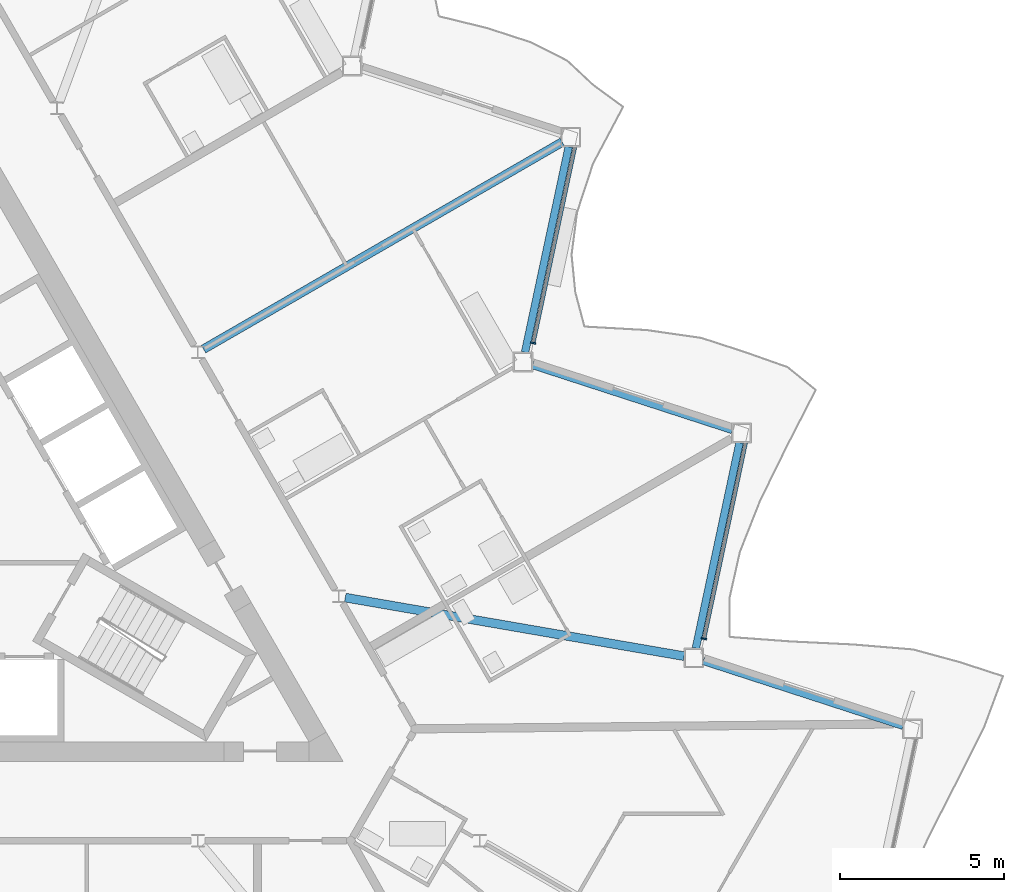
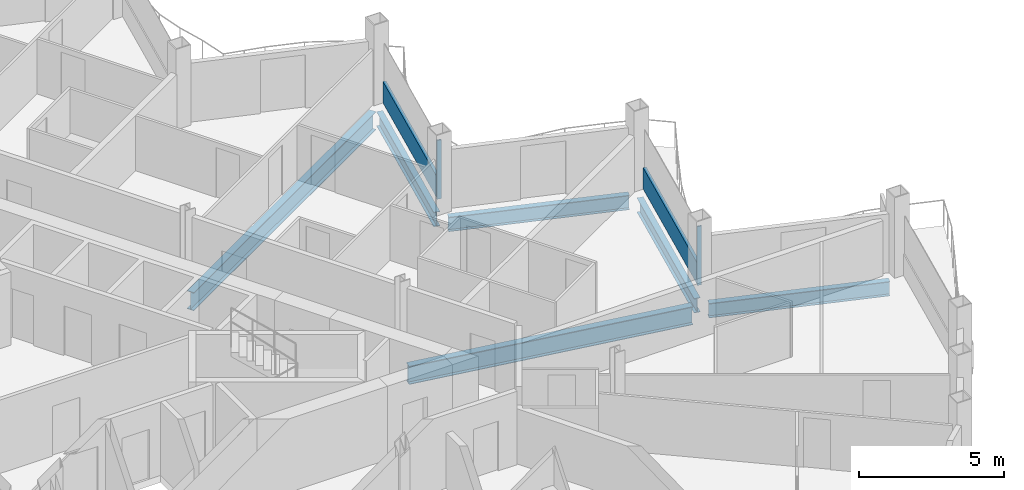
# One storey, part 9 of 27: 6 beams, 4 members, 2 elements without a shape of their own.
"""IFC4 building model written with IfcOpenShell, lengths in metres."""

import ifcopenshell
import ifcopenshell.guid

model = None  # the IFC model being written
_history = None  # IfcOwnerHistory: only IFC2X3 demands one
_inside = {}  # id of a spatial element -> (the spatial element, [elements in it])
_under = {}  # id of a project, library or spatial element -> (it, [spatial elements below it])
_declared = {}  # id of a project -> (the project, [libraries it declares])
_typed = {}  # id of a type object -> (the type object, [elements of that type])
_made_of = {}  # id of a material, layer set ... -> (it, [elements and type objects made of it])


def new_model(schema):
    """Start an empty IFC model of exactly this schema.

    Asked for "IFC4X3", IfcOpenShell would pick the latest addendum, in which some entities
    have other attributes; the version numbers below select the first issue.
    IFC2X3 requires an IfcOwnerHistory on every rooted entity: one is made here for all.
    """
    global model, _history
    if schema == "IFC4X3":
        model = ifcopenshell.file(schema_version=(4, 3, 0, 0))
    else:
        model = ifcopenshell.file(schema=schema)
    _inside.clear()
    _under.clear()
    _declared.clear()
    _typed.clear()
    _made_of.clear()
    _history = None
    if model.schema == "IFC2X3":
        org = make("IfcOrganization", Name="unknown")
        user = make(
            "IfcPersonAndOrganization",
            ThePerson=make("IfcPerson", FamilyName="unknown"),
            TheOrganization=org,
        )
        app = make(
            "IfcApplication",
            ApplicationDeveloper=org,
            Version="unknown",
            ApplicationFullName="unknown",
            ApplicationIdentifier="unknown",
        )
        _history = make(
            "IfcOwnerHistory",
            OwningUser=user,
            OwningApplication=app,
            ChangeAction="ADDED",
            CreationDate=0,
        )
    return model


def make(cls, **values):
    """One entity of the class cls with the attributes given. An attribute that is None is left unset."""
    return model.create_entity(
        cls, **{name: value for name, value in values.items() if value is not None}
    )


def rooted(cls, **values):
    """An entity with a GlobalId (a new one), such as an element, a storey or a relation."""
    return make(cls, GlobalId=ifcopenshell.guid.new(), OwnerHistory=_history, **values)


def si_unit(unit_type, name, prefix=None):
    """IfcSIUnit, for example si_unit("LENGTHUNIT", "METRE", prefix="MILLI")."""
    return make("IfcSIUnit", UnitType=unit_type, Prefix=prefix, Name=name)


def assignment(units):
    """IfcUnitAssignment: the units of a project."""
    return None if units is None else make("IfcUnitAssignment", Units=units)


def point(xyz):
    """IfcCartesianPoint."""
    return None if xyz is None else make("IfcCartesianPoint", Coordinates=xyz)


def direction(xyz):
    """IfcDirection."""
    return None if xyz is None else make("IfcDirection", DirectionRatios=xyz)


def frame(location, z_axis=None, x_axis=None):
    """IfcAxis2Placement3D, a coordinate frame: its origin and axes. An axis left out is left unset."""
    return make(
        "IfcAxis2Placement3D",
        Location=point(location),
        Axis=direction(z_axis),
        RefDirection=direction(x_axis),
    )


def frame_2d(location, x_axis=None):
    """IfcAxis2Placement2D, a coordinate frame in the plane: its origin and x axis."""
    return make(
        "IfcAxis2Placement2D", Location=point(location), RefDirection=direction(x_axis)
    )


def origin():
    """The frame at (0, 0, 0) with its axes left unset."""
    return frame((0.0, 0.0, 0.0))


def origin_2d():
    """The frame at (0, 0) in the plane with its x axis left unset."""
    return frame_2d((0.0, 0.0))


def place(relative_to, where):
    """IfcLocalPlacement: puts the frame where relative to a parent placement (None: the world)."""
    return make(
        "IfcLocalPlacement", PlacementRelTo=relative_to, RelativePlacement=where
    )


def context(
    kind, dimensions, precision=None, world=None, true_north=None, identifier=None
):
    """IfcGeometricRepresentationContext, for example the 3D "Model" context."""
    return make(
        "IfcGeometricRepresentationContext",
        ContextIdentifier=identifier,
        ContextType=kind,
        CoordinateSpaceDimension=dimensions,
        Precision=precision,
        WorldCoordinateSystem=world,
        TrueNorth=true_north,
    )


def subcontext(parent, identifier, kind, view, scale=None):
    """IfcGeometricRepresentationSubContext, for example "Body" below "Model"."""
    return make(
        "IfcGeometricRepresentationSubContext",
        ContextIdentifier=identifier,
        ContextType=kind,
        ParentContext=parent,
        TargetScale=scale,
        TargetView=view,
    )


def project(units=None, contexts=None):
    """IfcProject with its units and contexts."""
    return rooted(
        "IfcProject",
        Name="project",
        RepresentationContexts=contexts,
        UnitsInContext=assignment(units),
    )


def spatial(cls, under=None, at=None, **own):
    """A site, building, storey or space (cls), placed at a placement, below another one or the project."""
    s = rooted(cls, ObjectPlacement=at, **own)
    if under is not None:
        _under.setdefault(under.id(), (under, []))[1].append(s)
    return s


def profile(cls, at=None, kind="AREA", **sizes):
    """A parametric profile (cls). Its sizes go by their IFC names, for example OverallWidth=200.0."""
    return make(cls, ProfileType=kind, Position=at, **sizes)


def rectangle(**sizes):
    """IfcRectangleProfileDef."""
    return profile("IfcRectangleProfileDef", **sizes)


def i_section(**sizes):
    """IfcIShapeProfileDef."""
    return profile("IfcIShapeProfileDef", **sizes)


def extrude(swept, where, along, depth):
    """IfcExtrudedAreaSolid: the profile swept, set in the frame where, extruded along a direction by depth."""
    return make(
        "IfcExtrudedAreaSolid",
        SweptArea=swept,
        Position=where,
        ExtrudedDirection=direction(along),
        Depth=depth,
    )


def shape(context_of_items, identifier, shape_type, items):
    """IfcShapeRepresentation: the items that make up one representation, for example the "Body"."""
    return make(
        "IfcShapeRepresentation",
        ContextOfItems=context_of_items,
        RepresentationIdentifier=identifier,
        RepresentationType=shape_type,
        Items=items,
    )


def material(Name=None, Category=None):
    """IfcMaterial."""
    return make("IfcMaterial", Name=Name, Category=Category)


def layer(
    of_material, thickness, ventilated=None, Name=None, Category=None, Priority=None
):
    """IfcMaterialLayer: one layer of a wall or slab, of a material (None: an air gap)."""
    return make(
        "IfcMaterialLayer",
        Material=of_material,
        LayerThickness=thickness,
        IsVentilated=ventilated,
        Name=Name,
        Category=Category,
        Priority=Priority,
    )


def layer_set(layers, Name=None):
    """IfcMaterialLayerSet."""
    return make("IfcMaterialLayerSet", MaterialLayers=layers, LayerSetName=Name)


def material_profile(
    of_material, cross_section, Name=None, Category=None, Priority=None
):
    """IfcMaterialProfile: a cross section and its material."""
    return make(
        "IfcMaterialProfile",
        Name=Name,
        Material=of_material,
        Profile=cross_section,
        Priority=Priority,
        Category=Category,
    )


def profile_set(profiles, Name=None, composite=None):
    """IfcMaterialProfileSet."""
    return make(
        "IfcMaterialProfileSet",
        Name=Name,
        MaterialProfiles=profiles,
        CompositeProfile=composite,
    )


def made_of(thing, what):
    """Note that an element or type object is made of a material, layer set ...; save() writes the relation."""
    if what is not None:
        _made_of.setdefault(what.id(), (what, []))[1].append(thing)
    return thing


def type_object(cls, material=None, **own):
    """A type object (cls), such as IfcWallType, which elements share."""
    return made_of(rooted(cls, **own), material)


def element(
    cls,
    number,
    at=None,
    inside=None,
    cuts=None,
    type_object=None,
    material=None,
    context=None,
    identifier="Body",
    shape_type=None,
    held_by="IfcProductDefinitionShape",
    body=None,
    shapes=None,
    **own,
):
    """One element of the class cls, such as IfcWall. Its Tag is "e" and its number.

    at: its placement. inside: the storey or other place that contains it. cuts: it is an
    opening in that element (IfcRelVoidsElement). A single representation is given by context,
    identifier, shape_type and body (its items); several are given by shapes. held_by: the class
    of the entity that holds the representations. save() writes the other relations.
    """
    e = rooted(cls, Tag="e%d" % number, ObjectPlacement=at, **own)
    if body is not None:
        shapes = [shape(context, identifier, shape_type, body)]
    if shapes is not None:
        e.Representation = make(held_by, Representations=shapes)
    if inside is not None:
        _inside.setdefault(inside.id(), (inside, []))[1].append(e)
    if cuts is not None:
        rooted(
            "IfcRelVoidsElement", RelatingBuildingElement=cuts, RelatedOpeningElement=e
        )
    if type_object is not None:
        _typed.setdefault(type_object.id(), (type_object, []))[1].append(e)
    return made_of(e, material)


def aggregate(whole, parts):
    """IfcRelAggregates: a whole, such as a stair, and the parts it consists of."""
    return rooted("IfcRelAggregates", RelatingObject=whole, RelatedObjects=parts)


def save(model, path):
    """Write the relations noted so far, then the file.

    IfcRelAggregates (storeys below a building ...), IfcRelContainedInSpatialStructure (elements
    in a storey), IfcRelDefinesByType, IfcRelAssociatesMaterial and IfcRelDeclares: one each for
    every whole, place, type object, material and project.
    """
    for whole, parts in _under.values():
        aggregate(whole, parts)
    for where, things in _inside.values():
        rooted(
            "IfcRelContainedInSpatialStructure",
            RelatedElements=things,
            RelatingStructure=where,
        )
    for kind, things in _typed.values():
        rooted("IfcRelDefinesByType", RelatedObjects=things, RelatingType=kind)
    for what, things in _made_of.values():
        rooted("IfcRelAssociatesMaterial", RelatedObjects=things, RelatingMaterial=what)
    for by, libraries in _declared.values():
        rooted("IfcRelDeclares", RelatingContext=by, RelatedDefinitions=libraries)
    model.write(path)


model = new_model("IFC4")

# Units and contexts
model_context = context("Model", 3, precision=1e-05, world=origin(), true_north=direction((0.0, 1.0)))
body_context = subcontext(model_context, "Body", "Model", "MODEL_VIEW")
ifc_project = project(units=[si_unit("LENGTHUNIT", "METRE"), si_unit("AREAUNIT", "SQUARE_METRE"), si_unit("VOLUMEUNIT", "CUBIC_METRE"), si_unit("PLANEANGLEUNIT", "RADIAN"), si_unit("MASSUNIT", "GRAM", prefix="KILO")], contexts=[model_context])

# Site, building, storey
site_placement = place(None, origin())
site = spatial("IfcSite", under=ifc_project, at=site_placement, CompositionType="ELEMENT")
building_placement = place(site_placement, origin())
building = spatial("IfcBuilding", under=site, at=building_placement, Name="Cormorant Prow Tower", CompositionType="ELEMENT")
storey_placement = place(building_placement, frame((0.0, 0.0, 335.800048828125)))
storey = spatial("IfcBuildingStorey", under=building, at=storey_placement, Name="L75", CompositionType="ELEMENT", Elevation=335.800048828125)

# Beams
ifc_material_1 = material(Name="Structural steel ASTM A992 Gr 50", Category="steel")
ifc_material_profile_1 = material_profile(ifc_material_1, i_section(OverallWidth=0.267822265625, OverallDepth=0.77001953125, WebThickness=0.015625, FlangeThickness=0.025390625, at=origin_2d()), Name="W30x132")
ifc_profile_set_1 = profile_set([ifc_material_profile_1], Name="Structural steel ASTM A992 Gr 50")
beam_type_1 = type_object("IfcBeamType", Name="Radial floor beam W30x132", PredefinedType="BEAM", material=ifc_profile_set_1)
beam_1_placement = place(storey_placement, frame((13.0625, -2.510009765625, -0.68505859375), z_axis=(0.985379592304, -0.170373293304, 0.0), x_axis=(0.170373293304, 0.985379592304, 0.0)))
element("IfcBeam", 1, at=beam_1_placement, inside=storey, type_object=beam_type_1, Name="Radial floor beam FB3 10 L75", PredefinedType="BEAM", context=body_context, shape_type="SweptSolid", body=[
    extrude(i_section(OverallWidth=0.267822265625, OverallDepth=0.77001953125, WebThickness=0.015625, FlangeThickness=0.025390625, at=origin_2d()), origin(), (0.0, 0.0, 1.0), 10.465087890625),
])
beam_2_placement = place(storey_placement, frame((8.749755859375, 5.051513671875, -0.68505859375), z_axis=(0.866021086443, 0.50000747778, 0.0), x_axis=(-0.50000747778, 0.866021086443, 0.0)))
element("IfcBeam", 2, at=beam_2_placement, inside=storey, type_object=beam_type_1, Name="Radial floor beam FB3 11 L75", PredefinedType="BEAM", context=body_context, shape_type="SweptSolid", body=[
    extrude(i_section(OverallWidth=0.267822265625, OverallDepth=0.77001953125, WebThickness=0.015625, FlangeThickness=0.025390625, at=origin_2d()), origin(), (0.0, 0.0, 1.0), 12.604736328125),
])

# Curtain wall, member
ifc_material_2 = material(Name="Aluminium 6063-T6", Category="aluminium")
ifc_layer = layer(ifc_material_2, 0.159912109375)
ifc_layer_set = layer_set([ifc_layer], Name="Aluminium 6063-T6")
curtain_wall_type = type_object("IfcCurtainWallType", Name="Residential unitised curtain wall 160", PredefinedType="NOTDEFINED", material=ifc_layer_set)
curtain_wall_1_placement = place(storey_placement, origin())
curtain_wall_1 = element("IfcCurtainWall", 3, at=curtain_wall_1_placement, inside=storey, type_object=curtain_wall_type, Name="Residential curtain wall ENE02", PredefinedType="NOTDEFINED")
ifc_material_3 = material(Name="Aluminium 6063-T6", Category="aluminium")
ifc_material_profile_2 = material_profile(ifc_material_3, rectangle(XDim=0.159912109375, YDim=0.050048828125, at=origin_2d()), Name="Residential mullion 50x160")
ifc_profile_set_2 = profile_set([ifc_material_profile_2], Name="Aluminium 6063-T6")
member_type_1 = type_object("IfcMemberType", Name="Residential mullion 50x160", PredefinedType="MULLION", material=ifc_profile_set_2)
member_1_placement = place(storey_placement, frame((23.978759765625, -3.762451171875, 0.0), z_axis=(0.0, 0.0, 1.0), x_axis=(-0.978147592438, 0.207911729844, 0.0)))
member_1 = element("IfcMember", 4, at=member_1_placement, type_object=member_type_1, Name="Residential mullion ENE02", PredefinedType="MULLION", context=body_context, shape_type="SweptSolid", body=[
    extrude(rectangle(XDim=0.159912109375, YDim=0.050048828125, at=origin_2d()), origin(), (0.0, 0.0, 1.0), 2.48779296875),
])

curtain_wall_2_placement = place(storey_placement, origin())
curtain_wall_2 = element("IfcCurtainWall", 5, at=curtain_wall_2_placement, inside=storey, type_object=curtain_wall_type, Name="Residential curtain wall ENE04", PredefinedType="NOTDEFINED")
member_2_placement = place(storey_placement, frame((18.782470703125, 5.23779296875, 0.0), z_axis=(0.0, 0.0, 1.0), x_axis=(-0.978147592438, 0.207911729844, 0.0)))
member_2 = element("IfcMember", 6, at=member_2_placement, type_object=member_type_1, Name="Residential mullion ENE04", PredefinedType="MULLION", context=body_context, shape_type="SweptSolid", body=[
    extrude(rectangle(XDim=0.159912109375, YDim=0.050048828125, at=origin_2d()), origin(), (0.0, 0.0, 1.0), 2.48779296875),
])

# Member
ifc_material_4 = material(Name="Terracotta", Category="masonry")
ifc_material_profile_3 = material_profile(ifc_material_4, rectangle(XDim=0.1201171875, YDim=0.89990234375, at=origin_2d()), Name="Residential terracotta spandrel rail 120x900")
ifc_profile_set_3 = profile_set([ifc_material_profile_3], Name="Terracotta")
member_type_2 = type_object("IfcMemberType", Name="Residential terracotta spandrel rail 120x900", PredefinedType="USERDEFINED", material=ifc_profile_set_3)
member_3_placement = place(storey_placement, frame((23.98388671875, -3.738037109375, 0.449951171875), z_axis=(0.207912112226, 0.978147511161, 0.0), x_axis=(-0.978147511161, 0.207912112226, 0.0)))
member_3 = element("IfcMember", 7, at=member_3_placement, type_object=member_type_2, Name="Residential spandrel rail ENE02", ObjectType="TRANSOM", PredefinedType="USERDEFINED", context=body_context, shape_type="SweptSolid", body=[
    extrude(rectangle(XDim=0.1201171875, YDim=0.89990234375, at=origin_2d()), origin(), (0.0, 0.0, 1.0), 6.074462890625),
])

aggregate(curtain_wall_1, [member_1, member_3])

member_4_placement = place(storey_placement, frame((18.78759765625, 5.26220703125, 0.449951171875), z_axis=(0.207912112226, 0.978147511161, 0.0), x_axis=(-0.978147511161, 0.207912112226, 0.0)))
member_4 = element("IfcMember", 8, at=member_4_placement, type_object=member_type_2, Name="Residential spandrel rail ENE04", ObjectType="TRANSOM", PredefinedType="USERDEFINED", context=body_context, shape_type="SweptSolid", body=[
    extrude(rectangle(XDim=0.1201171875, YDim=0.89990234375, at=origin_2d()), origin(), (0.0, 0.0, 1.0), 6.074462890625),
])

aggregate(curtain_wall_2, [member_2, member_4])

# Beams
ifc_material_5 = material(Name="Structural steel ASTM A992 Gr 50", Category="steel")
ifc_material_profile_4 = material_profile(ifc_material_5, i_section(OverallWidth=0.22900390625, OverallDepth=0.612060546875, WebThickness=0.011962890625, FlangeThickness=0.01953125, at=origin_2d()), Name="W24x84")
ifc_profile_set_4 = profile_set([ifc_material_profile_4], Name="Structural steel ASTM A992 Gr 50")
beam_type_2 = type_object("IfcBeamType", Name="Spandrel beam W24x84", PredefinedType="SPANDREL", material=ifc_profile_set_4)
beam_3_placement = place(storey_placement, frame((30.038330078125, -6.413330078125, -0.606201171875), z_axis=(-0.951064359156, 0.308992855489, 0.0), x_axis=(-0.308992855489, -0.951064359156, 0.0)))
element("IfcBeam", 9, at=beam_3_placement, inside=storey, type_object=beam_type_2, Name="Spandrel beam SB3 ENE01-ENE02 L75", PredefinedType="SPANDREL", context=body_context, shape_type="SweptSolid", body=[
    extrude(i_section(OverallWidth=0.22900390625, OverallDepth=0.612060546875, WebThickness=0.011962890625, FlangeThickness=0.01953125, at=origin_2d()), origin(), (0.0, 0.0, 1.0), 6.39599609375),
])
beam_4_placement = place(storey_placement, frame((23.732421875, -4.05078125, -0.606201171875), z_axis=(0.20791262393, 0.978147402394, 0.0), x_axis=(-0.978147402394, 0.20791262393, 0.0)))
element("IfcBeam", 10, at=beam_4_placement, inside=storey, type_object=beam_type_2, Name="Spandrel beam SB3 ENE02-ENE03 L75", PredefinedType="SPANDREL", context=body_context, shape_type="SweptSolid", body=[
    extrude(i_section(OverallWidth=0.22900390625, OverallDepth=0.612060546875, WebThickness=0.011962890625, FlangeThickness=0.01953125, at=origin_2d()), origin(), (0.0, 0.0, 1.0), 6.396240234375),
])
beam_5_placement = place(storey_placement, frame((24.83935546875, 2.591796875, -0.606201171875), z_axis=(-0.951064359156, 0.308992855489, 0.0), x_axis=(-0.308992855489, -0.951064359156, 0.0)))
element("IfcBeam", 11, at=beam_5_placement, inside=storey, type_object=beam_type_2, Name="Spandrel beam SB3 ENE03-ENE04 L75", PredefinedType="SPANDREL", context=body_context, shape_type="SweptSolid", body=[
    extrude(i_section(OverallWidth=0.22900390625, OverallDepth=0.612060546875, WebThickness=0.011962890625, FlangeThickness=0.01953125, at=origin_2d()), origin(), (0.0, 0.0, 1.0), 6.39599609375),
])
beam_6_placement = place(storey_placement, frame((18.533447265625, 4.954345703125, -0.606201171875), z_axis=(0.20791262393, 0.978147402394, 0.0), x_axis=(-0.978147402394, 0.20791262393, 0.0)))
element("IfcBeam", 12, at=beam_6_placement, inside=storey, type_object=beam_type_2, Name="Spandrel beam SB3 ENE04-ENE05 L75", PredefinedType="SPANDREL", context=body_context, shape_type="SweptSolid", body=[
    extrude(i_section(OverallWidth=0.22900390625, OverallDepth=0.612060546875, WebThickness=0.011962890625, FlangeThickness=0.01953125, at=origin_2d()), origin(), (0.0, 0.0, 1.0), 6.396240234375),
])

save(model, "model.ifc")
